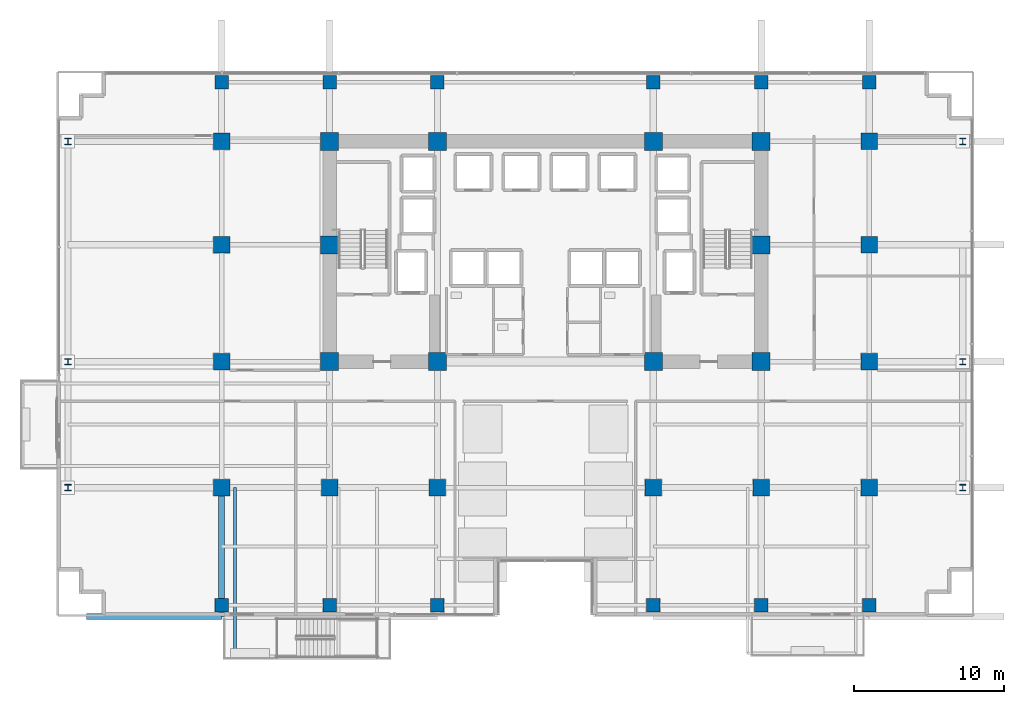
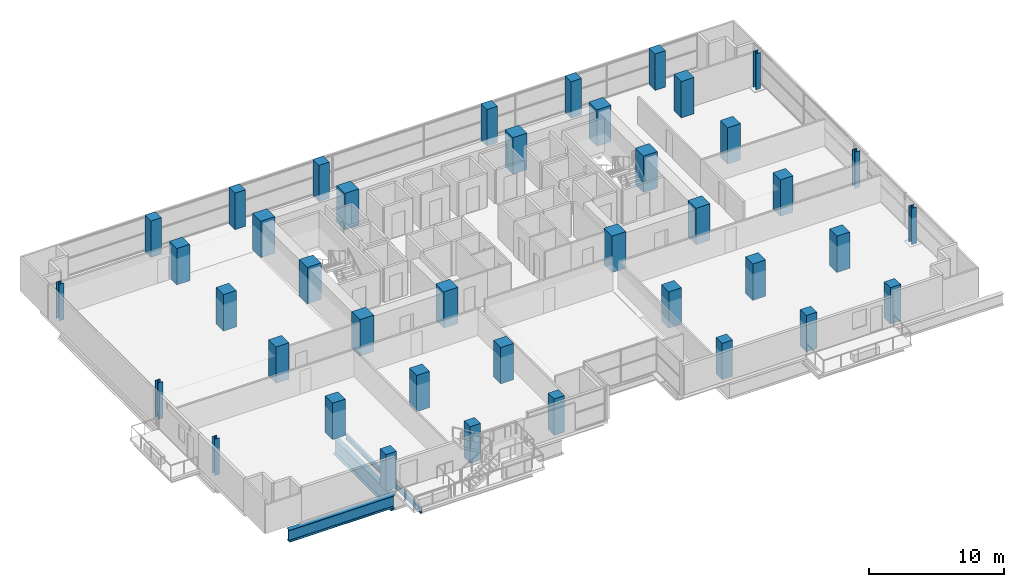
# One storey, part 1 of 32: 40 columns, 3 beams.
"""IFC4 building model written with IfcOpenShell, lengths in metres."""

import ifcopenshell
import ifcopenshell.guid

model = None  # the IFC model being written
_history = None  # IfcOwnerHistory: only IFC2X3 demands one
_inside = {}  # id of a spatial element -> (the spatial element, [elements in it])
_under = {}  # id of a project, library or spatial element -> (it, [spatial elements below it])
_declared = {}  # id of a project -> (the project, [libraries it declares])
_typed = {}  # id of a type object -> (the type object, [elements of that type])
_made_of = {}  # id of a material, layer set ... -> (it, [elements and type objects made of it])


def new_model(schema):
    """Start an empty IFC model of exactly this schema.

    Asked for "IFC4X3", IfcOpenShell would pick the latest addendum, in which some entities
    have other attributes; the version numbers below select the first issue.
    IFC2X3 requires an IfcOwnerHistory on every rooted entity: one is made here for all.
    """
    global model, _history
    if schema == "IFC4X3":
        model = ifcopenshell.file(schema_version=(4, 3, 0, 0))
    else:
        model = ifcopenshell.file(schema=schema)
    _inside.clear()
    _under.clear()
    _declared.clear()
    _typed.clear()
    _made_of.clear()
    _history = None
    if model.schema == "IFC2X3":
        org = make("IfcOrganization", Name="unknown")
        user = make(
            "IfcPersonAndOrganization",
            ThePerson=make("IfcPerson", FamilyName="unknown"),
            TheOrganization=org,
        )
        app = make(
            "IfcApplication",
            ApplicationDeveloper=org,
            Version="unknown",
            ApplicationFullName="unknown",
            ApplicationIdentifier="unknown",
        )
        _history = make(
            "IfcOwnerHistory",
            OwningUser=user,
            OwningApplication=app,
            ChangeAction="ADDED",
            CreationDate=0,
        )
    return model


def make(cls, **values):
    """One entity of the class cls with the attributes given. An attribute that is None is left unset."""
    return model.create_entity(
        cls, **{name: value for name, value in values.items() if value is not None}
    )


def rooted(cls, **values):
    """An entity with a GlobalId (a new one), such as an element, a storey or a relation."""
    return make(cls, GlobalId=ifcopenshell.guid.new(), OwnerHistory=_history, **values)


def si_unit(unit_type, name, prefix=None):
    """IfcSIUnit, for example si_unit("LENGTHUNIT", "METRE", prefix="MILLI")."""
    return make("IfcSIUnit", UnitType=unit_type, Prefix=prefix, Name=name)


def assignment(units):
    """IfcUnitAssignment: the units of a project."""
    return None if units is None else make("IfcUnitAssignment", Units=units)


def point(xyz):
    """IfcCartesianPoint."""
    return None if xyz is None else make("IfcCartesianPoint", Coordinates=xyz)


def direction(xyz):
    """IfcDirection."""
    return None if xyz is None else make("IfcDirection", DirectionRatios=xyz)


def frame(location, z_axis=None, x_axis=None):
    """IfcAxis2Placement3D, a coordinate frame: its origin and axes. An axis left out is left unset."""
    return make(
        "IfcAxis2Placement3D",
        Location=point(location),
        Axis=direction(z_axis),
        RefDirection=direction(x_axis),
    )


def frame_2d(location, x_axis=None):
    """IfcAxis2Placement2D, a coordinate frame in the plane: its origin and x axis."""
    return make(
        "IfcAxis2Placement2D", Location=point(location), RefDirection=direction(x_axis)
    )


def origin():
    """The frame at (0, 0, 0) with its axes left unset."""
    return frame((0.0, 0.0, 0.0))


def origin_2d():
    """The frame at (0, 0) in the plane with its x axis left unset."""
    return frame_2d((0.0, 0.0))


def place(relative_to, where):
    """IfcLocalPlacement: puts the frame where relative to a parent placement (None: the world)."""
    return make(
        "IfcLocalPlacement", PlacementRelTo=relative_to, RelativePlacement=where
    )


def context(
    kind, dimensions, precision=None, world=None, true_north=None, identifier=None
):
    """IfcGeometricRepresentationContext, for example the 3D "Model" context."""
    return make(
        "IfcGeometricRepresentationContext",
        ContextIdentifier=identifier,
        ContextType=kind,
        CoordinateSpaceDimension=dimensions,
        Precision=precision,
        WorldCoordinateSystem=world,
        TrueNorth=true_north,
    )


def subcontext(parent, identifier, kind, view, scale=None):
    """IfcGeometricRepresentationSubContext, for example "Body" below "Model"."""
    return make(
        "IfcGeometricRepresentationSubContext",
        ContextIdentifier=identifier,
        ContextType=kind,
        ParentContext=parent,
        TargetScale=scale,
        TargetView=view,
    )


def project(units=None, contexts=None):
    """IfcProject with its units and contexts."""
    return rooted(
        "IfcProject",
        Name="project",
        RepresentationContexts=contexts,
        UnitsInContext=assignment(units),
    )


def spatial(cls, under=None, at=None, **own):
    """A site, building, storey or space (cls), placed at a placement, below another one or the project."""
    s = rooted(cls, ObjectPlacement=at, **own)
    if under is not None:
        _under.setdefault(under.id(), (under, []))[1].append(s)
    return s


def profile(cls, at=None, kind="AREA", **sizes):
    """A parametric profile (cls). Its sizes go by their IFC names, for example OverallWidth=200.0."""
    return make(cls, ProfileType=kind, Position=at, **sizes)


def rectangle(**sizes):
    """IfcRectangleProfileDef."""
    return profile("IfcRectangleProfileDef", **sizes)


def i_section(**sizes):
    """IfcIShapeProfileDef."""
    return profile("IfcIShapeProfileDef", **sizes)


def extrude(swept, where, along, depth):
    """IfcExtrudedAreaSolid: the profile swept, set in the frame where, extruded along a direction by depth."""
    return make(
        "IfcExtrudedAreaSolid",
        SweptArea=swept,
        Position=where,
        ExtrudedDirection=direction(along),
        Depth=depth,
    )


def shape(context_of_items, identifier, shape_type, items):
    """IfcShapeRepresentation: the items that make up one representation, for example the "Body"."""
    return make(
        "IfcShapeRepresentation",
        ContextOfItems=context_of_items,
        RepresentationIdentifier=identifier,
        RepresentationType=shape_type,
        Items=items,
    )


def material(Name=None, Category=None):
    """IfcMaterial."""
    return make("IfcMaterial", Name=Name, Category=Category)


def material_profile(
    of_material, cross_section, Name=None, Category=None, Priority=None
):
    """IfcMaterialProfile: a cross section and its material."""
    return make(
        "IfcMaterialProfile",
        Name=Name,
        Material=of_material,
        Profile=cross_section,
        Priority=Priority,
        Category=Category,
    )


def profile_set(profiles, Name=None, composite=None):
    """IfcMaterialProfileSet."""
    return make(
        "IfcMaterialProfileSet",
        Name=Name,
        MaterialProfiles=profiles,
        CompositeProfile=composite,
    )


def made_of(thing, what):
    """Note that an element or type object is made of a material, layer set ...; save() writes the relation."""
    if what is not None:
        _made_of.setdefault(what.id(), (what, []))[1].append(thing)
    return thing


def type_object(cls, material=None, **own):
    """A type object (cls), such as IfcWallType, which elements share."""
    return made_of(rooted(cls, **own), material)


def element(
    cls,
    number,
    at=None,
    inside=None,
    cuts=None,
    type_object=None,
    material=None,
    context=None,
    identifier="Body",
    shape_type=None,
    held_by="IfcProductDefinitionShape",
    body=None,
    shapes=None,
    **own,
):
    """One element of the class cls, such as IfcWall. Its Tag is "e" and its number.

    at: its placement. inside: the storey or other place that contains it. cuts: it is an
    opening in that element (IfcRelVoidsElement). A single representation is given by context,
    identifier, shape_type and body (its items); several are given by shapes. held_by: the class
    of the entity that holds the representations. save() writes the other relations.
    """
    e = rooted(cls, Tag="e%d" % number, ObjectPlacement=at, **own)
    if body is not None:
        shapes = [shape(context, identifier, shape_type, body)]
    if shapes is not None:
        e.Representation = make(held_by, Representations=shapes)
    if inside is not None:
        _inside.setdefault(inside.id(), (inside, []))[1].append(e)
    if cuts is not None:
        rooted(
            "IfcRelVoidsElement", RelatingBuildingElement=cuts, RelatedOpeningElement=e
        )
    if type_object is not None:
        _typed.setdefault(type_object.id(), (type_object, []))[1].append(e)
    return made_of(e, material)


def aggregate(whole, parts):
    """IfcRelAggregates: a whole, such as a stair, and the parts it consists of."""
    return rooted("IfcRelAggregates", RelatingObject=whole, RelatedObjects=parts)


def save(model, path):
    """Write the relations noted so far, then the file.

    IfcRelAggregates (storeys below a building ...), IfcRelContainedInSpatialStructure (elements
    in a storey), IfcRelDefinesByType, IfcRelAssociatesMaterial and IfcRelDeclares: one each for
    every whole, place, type object, material and project.
    """
    for whole, parts in _under.values():
        aggregate(whole, parts)
    for where, things in _inside.values():
        rooted(
            "IfcRelContainedInSpatialStructure",
            RelatedElements=things,
            RelatingStructure=where,
        )
    for kind, things in _typed.values():
        rooted("IfcRelDefinesByType", RelatedObjects=things, RelatingType=kind)
    for what, things in _made_of.values():
        rooted("IfcRelAssociatesMaterial", RelatedObjects=things, RelatingMaterial=what)
    for by, libraries in _declared.values():
        rooted("IfcRelDeclares", RelatingContext=by, RelatedDefinitions=libraries)
    model.write(path)


model = new_model("IFC4")

# Units and contexts
model_context = context("Model", 3, precision=1e-05, world=origin(), true_north=direction((0.0, 1.0)))
body_context = subcontext(model_context, "Body", "Model", "MODEL_VIEW")
ifc_project = project(units=[si_unit("LENGTHUNIT", "METRE"), si_unit("AREAUNIT", "SQUARE_METRE"), si_unit("VOLUMEUNIT", "CUBIC_METRE"), si_unit("PLANEANGLEUNIT", "RADIAN"), si_unit("MASSUNIT", "GRAM", prefix="KILO")], contexts=[model_context])

# Site, building, storey
site_placement = place(None, origin())
site = spatial("IfcSite", under=ifc_project, at=site_placement, CompositionType="ELEMENT")
building_placement = place(site_placement, origin())
building = spatial("IfcBuilding", under=site, at=building_placement, Name="Zarnakvel Exchange Tower", CompositionType="ELEMENT")
storey_placement = place(building_placement, frame((0.0, 0.0, 27.39990234375)))
storey = spatial("IfcBuildingStorey", under=building, at=storey_placement, Name="L06", CompositionType="ELEMENT", Elevation=27.39990234375)

# Columns
ifc_material_1 = material(Name="Concrete C80/95", Category="concrete")
ifc_material_profile_1 = material_profile(ifc_material_1, rectangle(XDim=1.199951171875, YDim=1.199951171875, at=origin_2d()))
ifc_profile_set_1 = profile_set([ifc_material_profile_1], Name="Concrete C80/95")
column_type_1 = type_object("IfcColumnType", Name="CC-01", PredefinedType="COLUMN", material=ifc_profile_set_1)
for number, where, z_axis, x_axis, name in (
    (1, (-14.39990234375, -1.199951171875, 0.0), (0.0, 0.0, 1.0), (1.0, 0.0, 0.0), "L06 Column C-4D (CC-01)"),
    (2, (-7.199951171875, -1.199951171875, 0.0), (0.0, 0.0, 1.0), (1.0, 0.0, 0.0), "L06 Column C-5D (CC-01)"),
    (3, (7.199951171875, -1.199951171875, 0.0), (0.0, 0.0, 1.0), (1.0, 0.0, 0.0), "L06 Column C-8D (CC-01)"),
    (4, (14.39990234375, -1.199951171875, 0.0), (0.0, 0.0, 1.0), (1.0, 0.0, 0.0), "L06 Column C-9D (CC-01)"),
    (5, (-14.39990234375, 6.60009765625, 0.0), (0.0, 0.0, 1.0), (1.0, 0.0, 0.0), "L06 Column C-4E (CC-01)"),
    (6, (14.39990234375, 6.60009765625, 0.0), (0.0, 0.0, 1.0), (1.0, 0.0, 0.0), "L06 Column C-9E (CC-01)"),
    (7, (-14.39990234375, 13.5, 0.0), (0.0, 0.0, 1.0), (1.0, 0.0, 0.0), "L06 Column C-4F (CC-01)"),
    (8, (-7.199951171875, 13.5, 0.0), (0.0, 0.0, 1.0), (1.0, 0.0, 0.0), "L06 Column C-5F (CC-01)"),
    (9, (7.199951171875, 13.5, 0.0), (0.0, 0.0, 1.0), (1.0, 0.0, 0.0), "L06 Column C-8F (CC-01)"),
    (10, (14.39990234375, 13.5, 0.0), (0.0, 0.0, 1.0), (1.0, 0.0, 0.0), "L06 Column C-9F (CC-01)"),
):
    element("IfcColumn", number, at=place(storey_placement, frame(where, z_axis=z_axis, x_axis=x_axis)), inside=storey, type_object=column_type_1, Name=name, PredefinedType="COLUMN", context=body_context, shape_type="SweptSolid", body=[
        extrude(rectangle(XDim=1.199951171875, YDim=1.199951171875, at=origin_2d()), origin(), (0.0, 0.0, 1.0), 3.300048828125),
    ])
ifc_material_2 = material(Name="Steel S355", Category="steel")
ifc_material_profile_2 = material_profile(ifc_material_2, i_section(OverallWidth=0.412109375, OverallDepth=0.425048828125, WebThickness=0.02587890625, FlangeThickness=0.0390625, FilletRadius=0.014892578125, at=origin_2d()))
ifc_profile_set_2 = profile_set([ifc_material_profile_2], Name="Steel S355")
column_type_2 = type_object("IfcColumnType", Name="SC-01", PredefinedType="COLUMN", material=ifc_profile_set_2)
for number, where, z_axis, x_axis, name in (
    (11, (-31.85009765625, -9.60009765625, 0.0), (0.0, 0.0, 1.0), (1.0, 0.0, 0.0), "L06 Column TW-C (SC-01)"),
    (12, (27.85009765625, -9.60009765625, 0.0), (0.0, 0.0, 1.0), (1.0, 0.0, 0.0), "L06 Column TE-C (SC-01)"),
    (13, (-31.85009765625, -1.199951171875, 0.0), (0.0, 0.0, 1.0), (1.0, 0.0, 0.0), "L06 Column TW-D (SC-01)"),
    (14, (27.85009765625, -1.199951171875, 0.0), (0.0, 0.0, 1.0), (1.0, 0.0, 0.0), "L06 Column TE-D (SC-01)"),
    (15, (-31.85009765625, 13.5, 0.0), (0.0, 0.0, 1.0), (1.0, 0.0, 0.0), "L06 Column TW-F (SC-01)"),
    (16, (27.85009765625, 13.5, 0.0), (0.0, 0.0, 1.0), (1.0, 0.0, 0.0), "L06 Column TE-F (SC-01)"),
):
    element("IfcColumn", number, at=place(storey_placement, frame(where, z_axis=z_axis, x_axis=x_axis)), inside=storey, type_object=column_type_2, Name=name, PredefinedType="COLUMN", context=body_context, shape_type="SweptSolid", body=[
        extrude(i_section(OverallWidth=0.412109375, OverallDepth=0.425048828125, WebThickness=0.02587890625, FlangeThickness=0.0390625, FilletRadius=0.014892578125, at=origin_2d()), origin(), (0.0, 0.0, 1.0), 3.300048828125),
    ])
ifc_material_profile_3 = material_profile(ifc_material_1, rectangle(XDim=1.10009765625, YDim=1.10009765625, at=origin_2d()))
ifc_profile_set_3 = profile_set([ifc_material_profile_3], Name="Concrete C80/95")
column_type_3 = type_object("IfcColumnType", Name="TC-01", PredefinedType="COLUMN", material=ifc_profile_set_3)
for number, where, z_axis, x_axis, name in (
    (17, (-14.39990234375, -9.60009765625, 0.0), (0.0, 0.0, 1.0), (1.0, 0.0, 0.0), "L06 Column T-4C (TC-01)"),
    (18, (-7.199951171875, -9.60009765625, 0.0), (0.0, 0.0, 1.0), (1.0, 0.0, 0.0), "L06 Column T-5C (TC-01)"),
    (19, (7.199951171875, -9.60009765625, 0.0), (0.0, 0.0, 1.0), (1.0, 0.0, 0.0), "L06 Column T-8C (TC-01)"),
    (20, (14.39990234375, -9.60009765625, 0.0), (0.0, 0.0, 1.0), (1.0, 0.0, 0.0), "L06 Column T-9C (TC-01)"),
    (21, (-21.60009765625, -9.60009765625, 0.0), (0.0, 0.0, 1.0), (1.0, 0.0, 0.0), "L06 Column T-3C (TC-01)"),
    (22, (-21.60009765625, -1.199951171875, 0.0), (0.0, 0.0, 1.0), (1.0, 0.0, 0.0), "L06 Column T-3D (TC-01)"),
    (23, (-21.60009765625, 6.60009765625, 0.0), (0.0, 0.0, 1.0), (1.0, 0.0, 0.0), "L06 Column T-3E (TC-01)"),
    (24, (-21.60009765625, 13.5, 0.0), (0.0, 0.0, 1.0), (1.0, 0.0, 0.0), "L06 Column T-3F (TC-01)"),
    (25, (21.60009765625, -9.60009765625, 0.0), (0.0, 0.0, 1.0), (1.0, 0.0, 0.0), "L06 Column T-10C (TC-01)"),
    (26, (21.60009765625, -1.199951171875, 0.0), (0.0, 0.0, 1.0), (1.0, 0.0, 0.0), "L06 Column T-10D (TC-01)"),
    (27, (21.60009765625, 6.60009765625, 0.0), (0.0, 0.0, 1.0), (1.0, 0.0, 0.0), "L06 Column T-10E (TC-01)"),
    (28, (21.60009765625, 13.5, 0.0), (0.0, 0.0, 1.0), (1.0, 0.0, 0.0), "L06 Column T-10F (TC-01)"),
):
    element("IfcColumn", number, at=place(storey_placement, frame(where, z_axis=z_axis, x_axis=x_axis)), inside=storey, type_object=column_type_3, Name=name, PredefinedType="COLUMN", context=body_context, shape_type="SweptSolid", body=[
        extrude(rectangle(XDim=1.10009765625, YDim=1.10009765625, at=origin_2d()), origin(), (0.0, 0.0, 1.0), 3.300048828125),
    ])
ifc_material_3 = material(Name="Concrete C60/75", Category="concrete")
ifc_material_profile_4 = material_profile(ifc_material_3, rectangle(XDim=0.89990234375, YDim=0.89990234375, at=origin_2d()))
ifc_profile_set_4 = profile_set([ifc_material_profile_4], Name="Concrete C60/75")
column_type_4 = type_object("IfcColumnType", Name="TC-02", PredefinedType="COLUMN", material=ifc_profile_set_4)
for number, where, z_axis, x_axis, name in (
    (29, (-14.39990234375, -17.449951171875, 0.0), (0.0, 0.0, 1.0), (1.0, 0.0, 0.0), "L06 Column TS-4 (TC-02)"),
    (30, (-14.39990234375, 17.449951171875, 0.0), (0.0, 0.0, 1.0), (1.0, 0.0, 0.0), "L06 Column TN-4 (TC-02)"),
    (31, (-7.199951171875, -17.449951171875, 0.0), (0.0, 0.0, 1.0), (1.0, 0.0, 0.0), "L06 Column TS-5 (TC-02)"),
    (32, (-7.199951171875, 17.449951171875, 0.0), (0.0, 0.0, 1.0), (1.0, 0.0, 0.0), "L06 Column TN-5 (TC-02)"),
    (33, (7.199951171875, -17.449951171875, 0.0), (0.0, 0.0, 1.0), (1.0, 0.0, 0.0), "L06 Column TS-8 (TC-02)"),
    (34, (7.199951171875, 17.449951171875, 0.0), (0.0, 0.0, 1.0), (1.0, 0.0, 0.0), "L06 Column TN-8 (TC-02)"),
    (35, (14.39990234375, -17.449951171875, 0.0), (0.0, 0.0, 1.0), (1.0, 0.0, 0.0), "L06 Column TS-9 (TC-02)"),
    (36, (14.39990234375, 17.449951171875, 0.0), (0.0, 0.0, 1.0), (1.0, 0.0, 0.0), "L06 Column TN-9 (TC-02)"),
    (37, (-21.60009765625, -17.449951171875, 0.0), (0.0, 0.0, 1.0), (1.0, 0.0, 0.0), "L06 Column TS-3 (TC-02)"),
    (38, (-21.60009765625, 17.449951171875, 0.0), (0.0, 0.0, 1.0), (1.0, 0.0, 0.0), "L06 Column TN-3 (TC-02)"),
    (39, (21.60009765625, -17.449951171875, 0.0), (0.0, 0.0, 1.0), (1.0, 0.0, 0.0), "L06 Column TS-10 (TC-02)"),
    (40, (21.60009765625, 17.449951171875, 0.0), (0.0, 0.0, 1.0), (1.0, 0.0, 0.0), "L06 Column TN-10 (TC-02)"),
):
    element("IfcColumn", number, at=place(storey_placement, frame(where, z_axis=z_axis, x_axis=x_axis)), inside=storey, type_object=column_type_4, Name=name, PredefinedType="COLUMN", context=body_context, shape_type="SweptSolid", body=[
        extrude(rectangle(XDim=0.89990234375, YDim=0.89990234375, at=origin_2d()), origin(), (0.0, 0.0, 1.0), 3.300048828125),
    ])

# Beams
ifc_material_profile_5 = material_profile(ifc_material_2, i_section(OverallWidth=0.18994140625, OverallDepth=0.449951171875, WebThickness=0.009521484375, FlangeThickness=0.0146484375, FilletRadius=0.02099609375, at=origin_2d()))
ifc_profile_set_5 = profile_set([ifc_material_profile_5], Name="Steel S355")
beam_type_1 = type_object("IfcBeamType", Name="B-05", PredefinedType="JOIST", material=ifc_profile_set_5)
beam_1_placement = place(storey_placement, frame((-20.699951171875, -9.60009765625, -0.474853515625), z_axis=(0.0, -1.0, 0.0), x_axis=(1.0, 0.0, 0.0)))
element("IfcBeam", 41, at=beam_1_placement, inside=storey, type_object=beam_type_1, Name="L06 Continuous Spiral Terrace Beam W", PredefinedType="JOIST", context=body_context, shape_type="SweptSolid", body=[
    extrude(i_section(OverallWidth=0.18994140625, OverallDepth=0.449951171875, WebThickness=0.009521484375, FlangeThickness=0.0146484375, FilletRadius=0.02099609375, at=origin_2d()), origin(), (0.0, 0.0, 1.0), 11.260009765625),
])
ifc_material_4 = material(Name="Steel S460", Category="steel")
ifc_material_profile_6 = material_profile(ifc_material_4, i_section(OverallWidth=0.419921875, OverallDepth=1.449951171875, WebThickness=0.02392578125, FlangeThickness=0.0400390625, FilletRadius=0.030029296875, at=origin_2d()))
ifc_profile_set_6 = profile_set([ifc_material_profile_6], Name="Steel S460")
beam_type_2 = type_object("IfcBeamType", Name="TG-01", PredefinedType="BEAM", material=ifc_profile_set_6)
beam_2_placement = place(storey_placement, frame((-21.60009765625, -18.199951171875, -0.974853515625), z_axis=(0.0, 1.0, 0.0), x_axis=(-1.0, 0.0, 0.0)))
element("IfcBeam", 42, at=beam_2_placement, inside=storey, type_object=beam_type_2, Name="L06 Setback N-S Transfer Girder TS-3", PredefinedType="BEAM", context=body_context, shape_type="SweptSolid", body=[
    extrude(i_section(OverallWidth=0.419921875, OverallDepth=1.449951171875, WebThickness=0.02392578125, FlangeThickness=0.0400390625, FilletRadius=0.030029296875, at=origin_2d()), origin(), (0.0, 0.0, 1.0), 8.599853515625),
])
ifc_material_profile_7 = material_profile(ifc_material_4, i_section(OverallWidth=0.39990234375, OverallDepth=1.10009765625, WebThickness=0.02001953125, FlangeThickness=0.035888671875, FilletRadius=0.030029296875, at=origin_2d()))
ifc_profile_set_7 = profile_set([ifc_material_profile_7], Name="Steel S460")
beam_type_3 = type_object("IfcBeamType", Name="TG-03", PredefinedType="BEAM", material=ifc_profile_set_7)
beam_3_placement = place(storey_placement, frame((-30.60009765625, -18.199951171875, -0.7998046875), z_axis=(1.0, 0.0, 0.0), x_axis=(0.0, 1.0, 0.0)))
element("IfcBeam", 43, at=beam_3_placement, inside=storey, type_object=beam_type_3, Name="L06 Podium Collector Girder TG-03", PredefinedType="BEAM", context=body_context, shape_type="SweptSolid", body=[
    extrude(i_section(OverallWidth=0.39990234375, OverallDepth=1.10009765625, WebThickness=0.02001953125, FlangeThickness=0.035888671875, FilletRadius=0.030029296875, at=origin_2d()), origin(), (0.0, 0.0, 1.0), 9.0),
])

save(model, "model.ifc")
